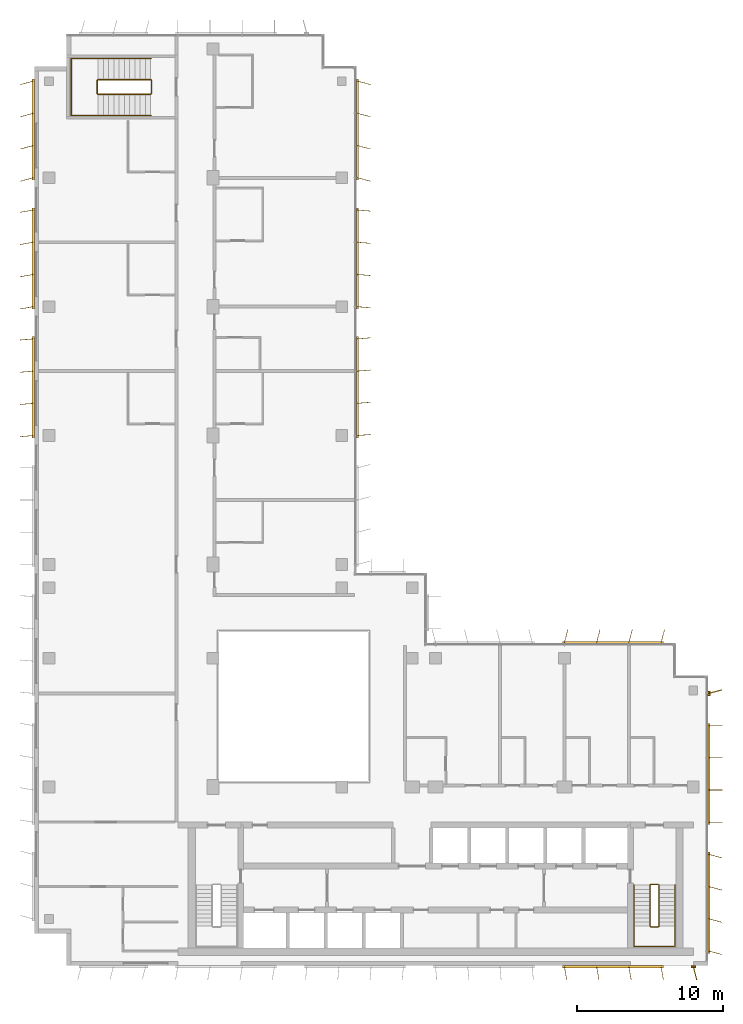
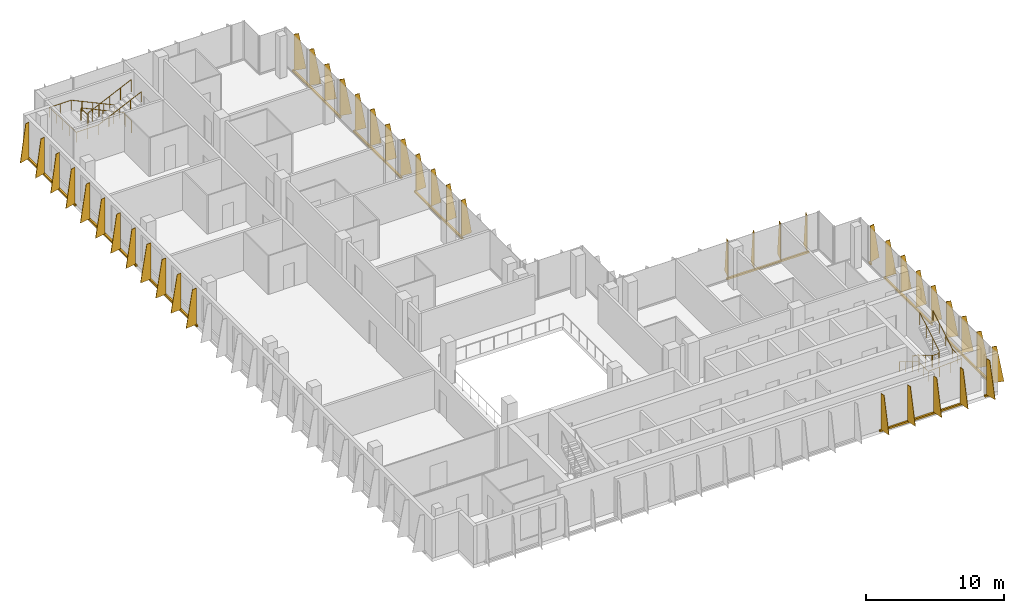
# One storey, part 14 of 15: 12 shading devices, 4 railings.
"""IFC4 building model written with IfcOpenShell, lengths in metres."""

from ifc_helpers import new_model, si_unit, direction, frame, origin, origin_2d, place, context, subcontext, project, spatial, polyline, rectangle, circle, outline, extrude, source, transform, mapped, material, layer, layer_set, type_object, element, save


model = new_model("IFC4")

# Units and contexts
model_context = context("Model", 3, precision=1e-05, world=origin(), true_north=direction((0.0, 1.0)))
body_context = subcontext(model_context, "Body", "Model", "MODEL_VIEW")
ifc_project = project(units=[si_unit("LENGTHUNIT", "METRE"), si_unit("AREAUNIT", "SQUARE_METRE"), si_unit("VOLUMEUNIT", "CUBIC_METRE"), si_unit("PLANEANGLEUNIT", "RADIAN"), si_unit("MASSUNIT", "GRAM", prefix="KILO")], contexts=[model_context])

# Site, building, storey
site_placement = place(None, origin())
site = spatial("IfcSite", under=ifc_project, at=site_placement, CompositionType="ELEMENT")
building_placement = place(site_placement, origin())
building = spatial("IfcBuilding", under=site, at=building_placement, Name="Kemantara Hotel Tower", CompositionType="ELEMENT")
storey_placement = place(building_placement, frame((0.0, 0.0, 301.800048828125)))
storey = spatial("IfcBuildingStorey", under=building, at=storey_placement, Name="L76", CompositionType="ELEMENT", Elevation=301.800048828125)

# Railings
ifc_material_1 = material(Name="Stainless steel balustrade", Category="steel")
railing_type_1 = type_object("IfcRailingType", Name="Stair guard 1100 mm", PredefinedType="GUARDRAIL", material=ifc_material_1)
railing_1_placement = place(storey_placement, frame((42.64990234375, 5.5, 3.699951171875)))
element("IfcRailing", 1, at=railing_1_placement, inside=storey, type_object=railing_type_1, Name="L76 ST2 stair guard 1", PredefinedType="GUARDRAIL", context=body_context, shape_type="SweptSolid", body=[
    extrude(circle(Radius=0.02392578125, at=origin_2d()), frame((0.0, 0.0, 1.076171875), z_axis=(0.0, -0.857242210791, -0.514913383045), x_axis=(1.0, 0.0, 0.0)), (0.0, 0.0, 1.0), 3.266357421875),
    extrude(circle(Radius=0.02392578125, at=origin_2d()), frame((0.0, -2.800048828125, -0.60595703125), z_axis=(-0.273006030465, -0.27434429532, -0.922064485248), x_axis=(0.708833529934, -0.705375805398, 0.0)), (0.0, 0.0, 1.0), 0.182373046875),
    extrude(circle(Radius=0.02392578125, at=origin_2d()), frame((-0.0498046875, -2.85009765625, -0.77392578125), z_axis=(-1.0, 0.0, 0.0), x_axis=(0.0, -1.0, 0.0)), (0.0, 0.0, 1.0), 0.5),
    extrude(circle(Radius=0.02392578125, at=origin_2d()), frame((-0.5498046875, -2.85009765625, -0.77392578125), z_axis=(-0.707106781187, 0.707106781187, 0.0), x_axis=(-0.707106781187, -0.707106781187, 0.0)), (0.0, 0.0, 1.0), 0.07080078125),
    extrude(circle(Radius=0.02392578125, at=origin_2d()), frame((-0.599853515625, -2.800048828125, -0.77392578125), z_axis=(0.0, 0.857275202839, -0.514858452973), x_axis=(-1.0, 0.0, 0.0)), (0.0, 0.0, 1.0), 3.26611328125),
    extrude(circle(Radius=0.02392578125, at=origin_2d()), frame((-0.599853515625, 0.0, -2.45556640625), z_axis=(0.274243871929, 0.274243871929, -0.92172696468), x_axis=(-0.707106781187, 0.707106781187, 0.0)), (0.0, 0.0, 1.0), 0.1826171875),
    extrude(circle(Radius=0.02392578125, at=origin_2d()), frame((-0.5498046875, 0.050048828125, -2.6240234375), z_axis=(1.0, 0.0, 0.0), x_axis=(0.0, 1.0, 0.0)), (0.0, 0.0, 1.0), 0.5),
    extrude(circle(Radius=0.02099609375, at=origin_2d()), origin(), (0.0, 0.0, 1.0), 1.052001953125),
    extrude(circle(Radius=0.02099609375, at=origin_2d()), frame((0.0, -0.933349609375, -0.560546875)), (0.0, 0.0, 1.0), 1.052001953125),
    extrude(circle(Radius=0.02099609375, at=origin_2d()), frame((0.0, -1.86669921875, -1.121337890625)), (0.0, 0.0, 1.0), 1.052001953125),
    extrude(circle(Radius=0.02099609375, at=origin_2d()), frame((0.0, -2.800048828125, -1.681884765625)), (0.0, 0.0, 1.0), 1.052001953125),
    extrude(circle(Radius=0.02099609375, at=origin_2d()), frame((-0.0498046875, -2.85009765625, -1.85009765625)), (0.0, 0.0, 1.0), 1.052001953125),
    extrude(circle(Radius=0.02099609375, at=origin_2d()), frame((-0.5498046875, -2.85009765625, -1.85009765625)), (0.0, 0.0, 1.0), 1.052001953125),
    extrude(circle(Radius=0.02099609375, at=origin_2d()), frame((-0.599853515625, -2.800048828125, -1.85009765625)), (0.0, 0.0, 1.0), 1.052001953125),
    extrude(circle(Radius=0.02099609375, at=origin_2d()), frame((-0.599853515625, -1.86669921875, -2.41064453125)), (0.0, 0.0, 1.0), 1.052001953125),
    extrude(circle(Radius=0.02099609375, at=origin_2d()), frame((-0.599853515625, -0.933349609375, -2.97119140625)), (0.0, 0.0, 1.0), 1.052001953125),
    extrude(circle(Radius=0.02099609375, at=origin_2d()), frame((-0.599853515625, 0.0, -3.53173828125)), (0.0, 0.0, 1.0), 1.052001953125),
    extrude(circle(Radius=0.02099609375, at=origin_2d()), frame((-0.5498046875, 0.050048828125, -3.699951171875)), (0.0, 0.0, 1.0), 1.052001953125),
    extrude(circle(Radius=0.02099609375, at=origin_2d()), frame((-0.0498046875, 0.050048828125, -3.699951171875)), (0.0, 0.0, 1.0), 1.052001953125),
])
railing_2_placement = place(storey_placement, frame((7.949951171875, 59.5, 3.699951171875)))
element("IfcRailing", 2, at=railing_2_placement, inside=storey, type_object=railing_type_1, Name="L76 ST4 stair guard 1", PredefinedType="GUARDRAIL", context=body_context, shape_type="SweptSolid", body=[
    extrude(circle(Radius=0.02392578125, at=origin_2d()), frame((0.0, 0.0, 1.076171875), z_axis=(-0.905994681025, 0.0, -0.423289071386), x_axis=(0.0, -1.0, 0.0)), (0.0, 0.0, 1.0), 3.973388671875),
    extrude(circle(Radius=0.02392578125, at=origin_2d()), frame((-3.599853515625, 0.0, -0.60595703125), z_axis=(-0.274243871929, 0.274243871929, -0.92172696468), x_axis=(-0.707106781187, -0.707106781187, 0.0)), (0.0, 0.0, 1.0), 0.1826171875),
    extrude(circle(Radius=0.02392578125, at=origin_2d()), frame((-3.64990234375, 0.050048828125, -0.77392578125), z_axis=(0.0, 1.0, 0.0), x_axis=(-1.0, 0.0, 0.0)), (0.0, 0.0, 1.0), 0.89990234375),
    extrude(circle(Radius=0.02392578125, at=origin_2d()), frame((-3.64990234375, 0.949951171875, -0.77392578125), z_axis=(0.707106781187, 0.707106781187, 0.0), x_axis=(-0.707106781187, 0.707106781187, 0.0)), (0.0, 0.0, 1.0), 0.07080078125),
    extrude(circle(Radius=0.02392578125, at=origin_2d()), frame((-3.599853515625, 1.0, -0.77392578125), z_axis=(0.906018243939, 0.0, -0.423238634402), x_axis=(0.0, 1.0, 0.0)), (0.0, 0.0, 1.0), 3.973388671875),
    extrude(circle(Radius=0.02392578125, at=origin_2d()), frame((0.0, 1.0, -2.45556640625), z_axis=(0.274243871929, -0.274243871929, -0.92172696468), x_axis=(0.707106781187, 0.707106781187, 0.0)), (0.0, 0.0, 1.0), 0.1826171875),
    extrude(circle(Radius=0.02392578125, at=origin_2d()), frame((0.050048828125, 0.949951171875, -2.6240234375), z_axis=(0.0, -1.0, 0.0), x_axis=(1.0, 0.0, 0.0)), (0.0, 0.0, 1.0), 0.89990234375),
    extrude(circle(Radius=0.02099609375, at=origin_2d()), origin(), (0.0, 0.0, 1.0), 1.052001953125),
    extrude(circle(Radius=0.02099609375, at=origin_2d()), frame((-0.89990234375, 0.0, -0.42041015625)), (0.0, 0.0, 1.0), 1.052001953125),
    extrude(circle(Radius=0.02099609375, at=origin_2d()), frame((-1.7998046875, 0.0, -0.8408203125)), (0.0, 0.0, 1.0), 1.052001953125),
    extrude(circle(Radius=0.02099609375, at=origin_2d()), frame((-2.699951171875, 0.0, -1.261474609375)), (0.0, 0.0, 1.0), 1.052001953125),
    extrude(circle(Radius=0.02099609375, at=origin_2d()), frame((-3.599853515625, 0.0, -1.681884765625)), (0.0, 0.0, 1.0), 1.052001953125),
    extrude(circle(Radius=0.02099609375, at=origin_2d()), frame((-3.64990234375, 0.050048828125, -1.85009765625)), (0.0, 0.0, 1.0), 1.052001953125),
    extrude(circle(Radius=0.02099609375, at=origin_2d()), frame((-3.64990234375, 0.949951171875, -1.85009765625)), (0.0, 0.0, 1.0), 1.052001953125),
    extrude(circle(Radius=0.02099609375, at=origin_2d()), frame((-3.599853515625, 1.0, -1.85009765625)), (0.0, 0.0, 1.0), 1.052001953125),
    extrude(circle(Radius=0.02099609375, at=origin_2d()), frame((-2.699951171875, 1.0, -2.2705078125)), (0.0, 0.0, 1.0), 1.052001953125),
    extrude(circle(Radius=0.02099609375, at=origin_2d()), frame((-1.7998046875, 1.0, -2.69091796875)), (0.0, 0.0, 1.0), 1.052001953125),
    extrude(circle(Radius=0.02099609375, at=origin_2d()), frame((-0.89990234375, 1.0, -3.111328125)), (0.0, 0.0, 1.0), 1.052001953125),
    extrude(circle(Radius=0.02099609375, at=origin_2d()), frame((0.0, 1.0, -3.53173828125)), (0.0, 0.0, 1.0), 1.052001953125),
    extrude(circle(Radius=0.02099609375, at=origin_2d()), frame((0.050048828125, 0.949951171875, -3.699951171875)), (0.0, 0.0, 1.0), 1.052001953125),
    extrude(circle(Radius=0.02099609375, at=origin_2d()), frame((0.050048828125, 0.050048828125, -3.699951171875)), (0.0, 0.0, 1.0), 1.052001953125),
])
railing_type_2 = type_object("IfcRailingType", Name="Stair handrail 900 mm", PredefinedType="HANDRAIL", material=ifc_material_1)
railing_3_placement = place(storey_placement, frame((40.949951171875, 5.5, 0.168212890625)))
element("IfcRailing", 3, at=railing_3_placement, inside=storey, type_object=railing_type_2, Name="L76 ST2 stair handrail 1", PredefinedType="HANDRAIL", context=body_context, shape_type="SweptSolid", body=[
    extrude(circle(Radius=0.02392578125, at=origin_2d()), frame((0.0, 0.0, 0.8759765625), z_axis=(0.0, -0.857275202839, 0.514858452973), x_axis=(1.0, 0.0, 0.0)), (0.0, 0.0, 1.0), 3.26611328125),
    extrude(circle(Radius=0.02392578125, at=origin_2d()), frame((0.0, -2.800048828125, 2.5576171875), z_axis=(0.0, -1.0, 0.0), x_axis=(1.0, 0.0, 0.0)), (0.0, 0.0, 1.0), 1.3798828125),
    extrude(circle(Radius=0.02392578125, at=origin_2d()), frame((0.0, -4.179931640625, 2.5576171875), z_axis=(0.998200367801, 0.0, 0.059966871865), x_axis=(0.0, 1.0, 0.0)), (0.0, 0.0, 1.0), 2.80517578125),
    extrude(circle(Radius=0.02392578125, at=origin_2d()), frame((2.800048828125, -4.179931640625, 2.7255859375), z_axis=(0.0, 1.0, 0.0), x_axis=(-1.0, 0.0, 0.0)), (0.0, 0.0, 1.0), 1.3798828125),
    extrude(circle(Radius=0.02392578125, at=origin_2d()), frame((2.800048828125, -2.800048828125, 2.7255859375), z_axis=(0.0, 0.857242210791, 0.514913383045), x_axis=(-1.0, 0.0, 0.0)), (0.0, 0.0, 1.0), 3.266357421875),
    extrude(circle(Radius=0.02099609375, at=origin_2d()), origin(), (0.0, 0.0, 1.0), 0.851806640625),
    extrude(circle(Radius=0.02099609375, at=origin_2d()), frame((0.0, -0.933349609375, 0.560546875)), (0.0, 0.0, 1.0), 0.851806640625),
    extrude(circle(Radius=0.02099609375, at=origin_2d()), frame((0.0, -1.86669921875, 1.12109375)), (0.0, 0.0, 1.0), 0.851806640625),
    extrude(circle(Radius=0.02099609375, at=origin_2d()), frame((0.0, -2.800048828125, 1.681640625)), (0.0, 0.0, 1.0), 0.851806640625),
    extrude(circle(Radius=0.02099609375, at=origin_2d()), frame((0.0, -3.489990234375, 1.681640625)), (0.0, 0.0, 1.0), 0.851806640625),
    extrude(circle(Radius=0.02099609375, at=origin_2d()), frame((0.0, -4.179931640625, 1.681640625)), (0.0, 0.0, 1.0), 0.851806640625),
    extrude(circle(Radius=0.02099609375, at=origin_2d()), frame((0.933349609375, -4.179931640625, 1.73779296875)), (0.0, 0.0, 1.0), 0.851806640625),
    extrude(circle(Radius=0.02099609375, at=origin_2d()), frame((1.86669921875, -4.179931640625, 1.793701171875)), (0.0, 0.0, 1.0), 0.851806640625),
    extrude(circle(Radius=0.02099609375, at=origin_2d()), frame((2.800048828125, -4.179931640625, 1.849853515625)), (0.0, 0.0, 1.0), 0.851806640625),
    extrude(circle(Radius=0.02099609375, at=origin_2d()), frame((2.800048828125, -3.489990234375, 1.849853515625)), (0.0, 0.0, 1.0), 0.851806640625),
    extrude(circle(Radius=0.02099609375, at=origin_2d()), frame((2.800048828125, -2.800048828125, 1.849853515625)), (0.0, 0.0, 1.0), 0.851806640625),
    extrude(circle(Radius=0.02099609375, at=origin_2d()), frame((2.800048828125, -1.86669921875, 2.410400390625)), (0.0, 0.0, 1.0), 0.851806640625),
    extrude(circle(Radius=0.02099609375, at=origin_2d()), frame((2.800048828125, -0.933349609375, 2.97119140625)), (0.0, 0.0, 1.0), 0.851806640625),
    extrude(circle(Radius=0.02099609375, at=origin_2d()), frame((2.800048828125, 0.0, 3.53173828125)), (0.0, 0.0, 1.0), 0.851806640625),
])
railing_4_placement = place(storey_placement, frame((7.949951171875, 61.949951171875, 0.168212890625)))
element("IfcRailing", 4, at=railing_4_placement, inside=storey, type_object=railing_type_2, Name="L76 ST4 stair handrail 1", PredefinedType="HANDRAIL", context=body_context, shape_type="SweptSolid", body=[
    extrude(circle(Radius=0.02392578125, at=origin_2d()), frame((0.0, 0.0, 0.8759765625), z_axis=(-0.906018243939, 0.0, 0.423238634402), x_axis=(0.0, -1.0, 0.0)), (0.0, 0.0, 1.0), 3.973388671875),
    extrude(circle(Radius=0.02392578125, at=origin_2d()), frame((-3.599853515625, 0.0, 2.5576171875), z_axis=(-1.0, 0.0, 0.0), x_axis=(0.0, -1.0, 0.0)), (0.0, 0.0, 1.0), 1.830078125),
    extrude(circle(Radius=0.02392578125, at=origin_2d()), frame((-5.429931640625, 0.0, 2.5576171875), z_axis=(0.0, -0.999071085748, 0.043092523981), x_axis=(1.0, 0.0, 0.0)), (0.0, 0.0, 1.0), 3.903564453125),
    extrude(circle(Radius=0.02392578125, at=origin_2d()), frame((-5.429931640625, -3.89990234375, 2.7255859375), z_axis=(1.0, 0.0, 0.0), x_axis=(0.0, 1.0, 0.0)), (0.0, 0.0, 1.0), 1.830078125),
    extrude(circle(Radius=0.02392578125, at=origin_2d()), frame((-3.599853515625, -3.89990234375, 2.7255859375), z_axis=(0.905994681025, 0.0, 0.423289071386), x_axis=(0.0, 1.0, 0.0)), (0.0, 0.0, 1.0), 3.973388671875),
    extrude(circle(Radius=0.02099609375, at=origin_2d()), origin(), (0.0, 0.0, 1.0), 0.851806640625),
    extrude(circle(Radius=0.02099609375, at=origin_2d()), frame((-0.89990234375, 0.0, 0.42041015625)), (0.0, 0.0, 1.0), 0.851806640625),
    extrude(circle(Radius=0.02099609375, at=origin_2d()), frame((-1.7998046875, 0.0, 0.8408203125)), (0.0, 0.0, 1.0), 0.851806640625),
    extrude(circle(Radius=0.02099609375, at=origin_2d()), frame((-2.699951171875, 0.0, 1.26123046875)), (0.0, 0.0, 1.0), 0.851806640625),
    extrude(circle(Radius=0.02099609375, at=origin_2d()), frame((-3.599853515625, 0.0, 1.681640625)), (0.0, 0.0, 1.0), 0.851806640625),
    extrude(circle(Radius=0.02099609375, at=origin_2d()), frame((-4.514892578125, 0.0, 1.681640625)), (0.0, 0.0, 1.0), 0.851806640625),
    extrude(circle(Radius=0.02099609375, at=origin_2d()), frame((-5.429931640625, 0.0, 1.681640625)), (0.0, 0.0, 1.0), 0.851806640625),
    extrude(circle(Radius=0.02099609375, at=origin_2d()), frame((-5.429931640625, -0.97509765625, 1.7236328125)), (0.0, 0.0, 1.0), 0.851806640625),
    extrude(circle(Radius=0.02099609375, at=origin_2d()), frame((-5.429931640625, -1.949951171875, 1.765625)), (0.0, 0.0, 1.0), 0.851806640625),
    extrude(circle(Radius=0.02099609375, at=origin_2d()), frame((-5.429931640625, -2.9248046875, 1.807861328125)), (0.0, 0.0, 1.0), 0.851806640625),
    extrude(circle(Radius=0.02099609375, at=origin_2d()), frame((-5.429931640625, -3.89990234375, 1.849853515625)), (0.0, 0.0, 1.0), 0.851806640625),
    extrude(circle(Radius=0.02099609375, at=origin_2d()), frame((-4.514892578125, -3.89990234375, 1.849853515625)), (0.0, 0.0, 1.0), 0.851806640625),
    extrude(circle(Radius=0.02099609375, at=origin_2d()), frame((-3.599853515625, -3.89990234375, 1.849853515625)), (0.0, 0.0, 1.0), 0.851806640625),
    extrude(circle(Radius=0.02099609375, at=origin_2d()), frame((-2.699951171875, -3.89990234375, 2.270263671875)), (0.0, 0.0, 1.0), 0.851806640625),
    extrude(circle(Radius=0.02099609375, at=origin_2d()), frame((-1.7998046875, -3.89990234375, 2.69091796875)), (0.0, 0.0, 1.0), 0.851806640625),
    extrude(circle(Radius=0.02099609375, at=origin_2d()), frame((-0.89990234375, -3.89990234375, 3.111328125)), (0.0, 0.0, 1.0), 0.851806640625),
    extrude(circle(Radius=0.02099609375, at=origin_2d()), frame((0.0, -3.89990234375, 3.53173828125)), (0.0, 0.0, 1.0), 0.851806640625),
])

# Shading devices
ifc_material_2 = material(Name="Perforated aluminium plate 4 mm bronze anodised", Category="aluminium")
ifc_layer_1 = layer(ifc_material_2, 0.0400390625)
ifc_layer_set_1 = layer_set([ifc_layer_1], Name="Perforated aluminium plate 4 mm bronze anodised")
shading_device_type_1 = type_object("IfcShadingDeviceType", Name="SCREEN FIN CASSETTE, 4 BLADES AT -5.0 DEG, 3200 HIGH", PredefinedType="USERDEFINED", material=ifc_layer_set_1)
shared_shape_1 = source(origin(), body_context, "Body", "SweptSolid", [
    extrude(rectangle(XDim=6.89990234375, YDim=0.14990234375, at=origin_2d()), frame((3.300048828125, -0.074951171875, -0.14990234375), z_axis=(0.0, 0.0, 1.0), x_axis=(1.0, 0.0, 0.0)), (0.0, 0.0, 1.0), 0.14990234375),
    extrude(outline(polyline([(0.0, 0.0), (0.89990234375, 0.0), (0.35009765625, 3.199951171875), (0.0, 3.199951171875), (0.0, 0.0)])), frame((0.02001953125, -0.07666015625, 0.0), z_axis=(-0.996376129781, 0.085056498884, 0.0), x_axis=(-0.085056498884, -0.996376129781, 0.0)), (0.0, 0.0, 1.0), 0.040283203125),
    extrude(outline(polyline([(0.0, 0.0), (0.89990234375, 0.0), (0.35009765625, 3.199951171875), (0.0, 3.199951171875), (0.0, 0.0)])), frame((2.219970703125, -0.07666015625, 0.0), z_axis=(-0.996331773833, 0.085574508182, 0.0), x_axis=(-0.085574508182, -0.996331773833, 0.0)), (0.0, 0.0, 1.0), 0.0400390625),
    extrude(outline(polyline([(0.0, 0.0), (0.89990234375, 0.0), (0.35009765625, 3.199951171875), (0.0, 3.199951171875), (0.0, 0.0)])), frame((4.419921875, -0.07666015625, 0.0), z_axis=(-0.996331773833, 0.085574508182, 0.0), x_axis=(-0.085574508182, -0.996331773833, 0.0)), (0.0, 0.0, 1.0), 0.0400390625),
    extrude(outline(polyline([(0.0, 0.0), (0.89990234375, 0.0), (0.35009765625, 3.199951171875), (0.0, 3.199951171875), (0.0, 0.0)])), frame((6.619873046875, -0.07666015625, 0.0), z_axis=(-0.996331773833, 0.085574508182, 0.0), x_axis=(-0.085574508182, -0.996331773833, 0.0)), (0.0, 0.0, 1.0), 0.0400390625),
])
shading_device_1_placement = place(storey_placement, frame((22.0, 45.0, 0.099853515625), z_axis=(0.0, 0.0, 1.0), x_axis=(0.0, 1.0, 0.0)))
element("IfcShadingDevice", 5, at=shading_device_1_placement, inside=storey, type_object=shading_device_type_1, Name="SCREEN FIN CASSETTE L76 T4-R15-3", ObjectType="SCREEN FIN", PredefinedType="USERDEFINED", context=body_context, shape_type="MappedRepresentation", body=[
    mapped(shared_shape_1, transform((0.0, 0.0, 0.0))),
])
ifc_layer_2 = layer(ifc_material_2, 0.0400390625)
ifc_layer_set_2 = layer_set([ifc_layer_2], Name="Perforated aluminium plate 4 mm bronze anodised")
shading_device_type_2 = type_object("IfcShadingDeviceType", Name="SCREEN FIN CASSETTE, 4 BLADES AT +0.0 DEG, 3200 HIGH", PredefinedType="USERDEFINED", material=ifc_layer_set_2)
shared_shape_2 = source(origin(), body_context, "Body", "SweptSolid", [
    extrude(rectangle(XDim=6.89990234375, YDim=0.14990234375, at=origin_2d()), frame((3.300048828125, -0.074951171875, -0.14990234375), z_axis=(0.0, 0.0, 1.0), x_axis=(1.0, 0.0, 0.0)), (0.0, 0.0, 1.0), 0.14990234375),
    extrude(outline(polyline([(0.0, 0.0), (0.89990234375, 0.0), (0.35009765625, 3.199951171875), (0.0, 3.199951171875), (0.0, 0.0)])), frame((0.02001953125, -0.074951171875, 0.0), z_axis=(-1.0, 0.0, 0.0), x_axis=(0.0, -1.0, 0.0)), (0.0, 0.0, 1.0), 0.0400390625),
    extrude(outline(polyline([(0.0, 0.0), (0.89990234375, 0.0), (0.35009765625, 3.199951171875), (0.0, 3.199951171875), (0.0, 0.0)])), frame((2.219970703125, -0.074951171875, 0.0), z_axis=(-1.0, 0.0, 0.0), x_axis=(0.0, -1.0, 0.0)), (0.0, 0.0, 1.0), 0.0400390625),
    extrude(outline(polyline([(0.0, 0.0), (0.89990234375, 0.0), (0.35009765625, 3.199951171875), (0.0, 3.199951171875), (0.0, 0.0)])), frame((4.419921875, -0.074951171875, 0.0), z_axis=(-1.0, 0.0, 0.0), x_axis=(0.0, -1.0, 0.0)), (0.0, 0.0, 1.0), 0.0400390625),
    extrude(outline(polyline([(0.0, 0.0), (0.89990234375, 0.0), (0.35009765625, 3.199951171875), (0.0, 3.199951171875), (0.0, 0.0)])), frame((6.6201171875, -0.074951171875, 0.0), z_axis=(-1.0, 0.0, 0.0), x_axis=(0.0, -1.0, 0.0)), (0.0, 0.0, 1.0), 0.0400390625),
])
shading_device_2_placement = place(storey_placement, frame((46.0, 9.800048828125, 0.099853515625), z_axis=(0.0, 0.0, 1.0), x_axis=(0.0, 1.0, 0.0)))
element("IfcShadingDevice", 6, at=shading_device_2_placement, inside=storey, type_object=shading_device_type_2, Name="SCREEN FIN CASSETTE L76 T4-R09-2", ObjectType="SCREEN FIN", PredefinedType="USERDEFINED", context=body_context, shape_type="MappedRepresentation", body=[
    mapped(shared_shape_2, transform((0.0, 0.0, 0.0))),
])
ifc_layer_3 = layer(ifc_material_2, 0.0400390625)
ifc_layer_set_3 = layer_set([ifc_layer_3], Name="Perforated aluminium plate 4 mm bronze anodised")
shading_device_type_3 = type_object("IfcShadingDeviceType", Name="SCREEN FIN CASSETTE, 4 BLADES AT +5.0 DEG, 3200 HIGH", PredefinedType="USERDEFINED", material=ifc_layer_set_3)
shared_shape_3 = source(origin(), body_context, "Body", "SweptSolid", [
    extrude(rectangle(XDim=6.89990234375, YDim=0.14990234375, at=origin_2d()), frame((3.300048828125, -0.074951171875, -0.14990234375), z_axis=(0.0, 0.0, 1.0), x_axis=(1.0, 0.0, 0.0)), (0.0, 0.0, 1.0), 0.14990234375),
    extrude(outline(polyline([(0.0, 0.0), (0.89990234375, 0.0), (0.35009765625, 3.199951171875), (0.0, 3.199951171875), (0.0, 0.0)])), frame((0.02001953125, -0.0732421875, 0.0), z_axis=(-0.996376129781, -0.085056498884, 0.0), x_axis=(0.085056498884, -0.996376129781, 0.0)), (0.0, 0.0, 1.0), 0.040283203125),
    extrude(outline(polyline([(0.0, 0.0), (0.89990234375, 0.0), (0.35009765625, 3.199951171875), (0.0, 3.199951171875), (0.0, 0.0)])), frame((2.219970703125, -0.0732421875, 0.0), z_axis=(-0.996331773833, -0.085574508182, 0.0), x_axis=(0.085574508182, -0.996331773833, 0.0)), (0.0, 0.0, 1.0), 0.0400390625),
    extrude(outline(polyline([(0.0, 0.0), (0.89990234375, 0.0), (0.35009765625, 3.199951171875), (0.0, 3.199951171875), (0.0, 0.0)])), frame((4.419921875, -0.0732421875, 0.0), z_axis=(-0.996331773833, -0.085574508182, 0.0), x_axis=(0.085574508182, -0.996331773833, 0.0)), (0.0, 0.0, 1.0), 0.0400390625),
    extrude(outline(polyline([(0.0, 0.0), (0.89990234375, 0.0), (0.35009765625, 3.199951171875), (0.0, 3.199951171875), (0.0, 0.0)])), frame((6.619873046875, -0.0732421875, 0.0), z_axis=(-0.996331773833, -0.085574508182, 0.0), x_axis=(0.085574508182, -0.996331773833, 0.0)), (0.0, 0.0, 1.0), 0.0400390625),
])
for number, where, z_axis, x_axis, name in (
    (7, (0.0, 42.800048828125, 0.099853515625), (0.0, 0.0, 1.0), (0.0, -1.0, 0.0), "SCREEN FIN CASSETTE L76 T4-R05-3"),
    (8, (22.0, 36.199951171875, 0.099853515625), (0.0, 0.0, 1.0), (0.0, 1.0, 0.0), "SCREEN FIN CASSETTE L76 T4-R15-2"),
):
    element("IfcShadingDevice", number, at=place(storey_placement, frame(where, z_axis=z_axis, x_axis=x_axis)), inside=storey, type_object=shading_device_type_3, Name=name, ObjectType="SCREEN FIN", PredefinedType="USERDEFINED", context=body_context, shape_type="MappedRepresentation", body=[
        mapped(shared_shape_3, transform((0.0, 0.0, 0.0))),
    ])
ifc_layer_4 = layer(ifc_material_2, 0.0400390625)
ifc_layer_set_4 = layer_set([ifc_layer_4], Name="Perforated aluminium plate 4 mm bronze anodised")
shading_device_type_4 = type_object("IfcShadingDeviceType", Name="SCREEN FIN CASSETTE, 4 BLADES AT +10.0 DEG, 3200 HIGH", PredefinedType="USERDEFINED", material=ifc_layer_set_4)
shared_shape_4 = source(origin(), body_context, "Body", "SweptSolid", [
    extrude(rectangle(XDim=6.89990234375, YDim=0.14990234375, at=origin_2d()), frame((3.300048828125, -0.074951171875, -0.14990234375), z_axis=(0.0, 0.0, 1.0), x_axis=(1.0, 0.0, 0.0)), (0.0, 0.0, 1.0), 0.14990234375),
    extrude(outline(polyline([(0.0, 0.0), (0.89990234375, 0.0), (0.35009765625, 3.199951171875), (0.0, 3.199951171875), (0.0, 0.0)])), frame((0.019775390625, -0.071533203125, 0.0), z_axis=(-0.985389793052, -0.170314285219, 0.0), x_axis=(0.170314285219, -0.985389793052, 0.0)), (0.0, 0.0, 1.0), 0.0400390625),
    extrude(outline(polyline([(0.0, 0.0), (0.89990234375, 0.0), (0.35009765625, 3.199951171875), (0.0, 3.199951171875), (0.0, 0.0)])), frame((2.2197265625, -0.071533203125, 0.0), z_axis=(-0.98521175482, -0.171341174751, 0.0), x_axis=(0.171341174751, -0.98521175482, 0.0)), (0.0, 0.0, 1.0), 0.039794921875),
    extrude(outline(polyline([(0.0, 0.0), (0.89990234375, 0.0), (0.35009765625, 3.199951171875), (0.0, 3.199951171875), (0.0, 0.0)])), frame((4.419677734375, -0.071533203125, 0.0), z_axis=(-0.98521175482, -0.171341174751, 0.0), x_axis=(0.171341174751, -0.98521175482, 0.0)), (0.0, 0.0, 1.0), 0.039794921875),
    extrude(outline(polyline([(0.0, 0.0), (0.89990234375, 0.0), (0.35009765625, 3.199951171875), (0.0, 3.199951171875), (0.0, 0.0)])), frame((6.61962890625, -0.071533203125, 0.0), z_axis=(-0.98521175482, -0.171341174751, 0.0), x_axis=(0.171341174751, -0.98521175482, 0.0)), (0.0, 0.0, 1.0), 0.039794921875),
])
for number, where, z_axis, x_axis, name in (
    (9, (0.0, 51.60009765625, 0.099853515625), (0.0, 0.0, 1.0), (0.0, -1.0, 0.0), "SCREEN FIN CASSETTE L76 T4-R05-2"),
    (10, (36.199951171875, 0.0, 0.099853515625), (0.0, 0.0, 1.0), (1.0, 0.0, 0.0), "SCREEN FIN CASSETTE L76 T4-R08-5"),
):
    element("IfcShadingDevice", number, at=place(storey_placement, frame(where, z_axis=z_axis, x_axis=x_axis)), inside=storey, type_object=shading_device_type_4, Name=name, ObjectType="SCREEN FIN", PredefinedType="USERDEFINED", context=body_context, shape_type="MappedRepresentation", body=[
        mapped(shared_shape_4, transform((0.0, 0.0, 0.0))),
    ])
ifc_layer_5 = layer(ifc_material_2, 0.0400390625)
ifc_layer_set_5 = layer_set([ifc_layer_5], Name="Perforated aluminium plate 4 mm bronze anodised")
shading_device_type_5 = type_object("IfcShadingDeviceType", Name="SCREEN FIN CASSETTE, 4 BLADES AT +15.0 DEG, 3200 HIGH", PredefinedType="USERDEFINED", material=ifc_layer_set_5)
shared_shape_5 = source(origin(), body_context, "Body", "SweptSolid", [
    extrude(rectangle(XDim=6.89990234375, YDim=0.14990234375, at=origin_2d()), frame((3.300048828125, -0.074951171875, -0.14990234375), z_axis=(0.0, 0.0, 1.0), x_axis=(1.0, 0.0, 0.0)), (0.0, 0.0, 1.0), 0.14990234375),
    extrude(outline(polyline([(0.0, 0.0), (0.89990234375, 0.0), (0.35009765625, 3.199951171875), (0.0, 3.199951171875), (0.0, 0.0)])), frame((0.019287109375, -0.06982421875, 0.0), z_axis=(-0.966437683387, -0.256901156343, 0.0), x_axis=(0.256901156343, -0.966437683387, 0.0)), (0.0, 0.0, 1.0), 0.039794921875),
    extrude(outline(polyline([(0.0, 0.0), (0.89990234375, 0.0), (0.35009765625, 3.199951171875), (0.0, 3.199951171875), (0.0, 0.0)])), frame((2.21923828125, -0.06982421875, 0.0), z_axis=(-0.966437683387, -0.256901156343, 0.0), x_axis=(0.256901156343, -0.966437683387, 0.0)), (0.0, 0.0, 1.0), 0.039794921875),
    extrude(outline(polyline([(0.0, 0.0), (0.89990234375, 0.0), (0.35009765625, 3.199951171875), (0.0, 3.199951171875), (0.0, 0.0)])), frame((4.41943359375, -0.06982421875, 0.0), z_axis=(-0.966837822169, -0.255391122837, 0.0), x_axis=(0.255391122837, -0.966837822169, 0.0)), (0.0, 0.0, 1.0), 0.0400390625),
    extrude(outline(polyline([(0.0, 0.0), (0.89990234375, 0.0), (0.35009765625, 3.199951171875), (0.0, 3.199951171875), (0.0, 0.0)])), frame((6.619384765625, -0.06982421875, 0.0), z_axis=(-0.966837822169, -0.255391122837, 0.0), x_axis=(0.255391122837, -0.966837822169, 0.0)), (0.0, 0.0, 1.0), 0.0400390625),
])
shading_device_3_placement = place(storey_placement, frame((0.0, 60.39990234375, 0.099853515625), z_axis=(0.0, 0.0, 1.0), x_axis=(0.0, -1.0, 0.0)))
element("IfcShadingDevice", 11, at=shading_device_3_placement, inside=storey, type_object=shading_device_type_5, Name="SCREEN FIN CASSETTE L76 T4-R05-1", ObjectType="SCREEN FIN", PredefinedType="USERDEFINED", context=body_context, shape_type="MappedRepresentation", body=[
    mapped(shared_shape_5, transform((0.0, 0.0, 0.0))),
])
ifc_layer_6 = layer(ifc_material_2, 0.0400390625)
ifc_layer_set_6 = layer_set([ifc_layer_6], Name="Perforated aluminium plate 4 mm bronze anodised")
shading_device_type_6 = type_object("IfcShadingDeviceType", Name="SCREEN FIN CASSETTE, 4 BLADES AT -15.0 DEG, 3200 HIGH", PredefinedType="USERDEFINED", material=ifc_layer_set_6)
shared_shape_6 = source(origin(), body_context, "Body", "SweptSolid", [
    extrude(rectangle(XDim=6.89990234375, YDim=0.14990234375, at=origin_2d()), frame((3.300048828125, -0.074951171875, -0.14990234375), z_axis=(0.0, 0.0, 1.0), x_axis=(1.0, 0.0, 0.0)), (0.0, 0.0, 1.0), 0.14990234375),
    extrude(outline(polyline([(0.0, 0.0), (0.89990234375, 0.0), (0.35009765625, 3.199951171875), (0.0, 3.199951171875), (0.0, 0.0)])), frame((0.019287109375, -0.080078125, 0.0), z_axis=(-0.966437683387, 0.256901156343, 0.0), x_axis=(-0.256901156343, -0.966437683387, 0.0)), (0.0, 0.0, 1.0), 0.039794921875),
    extrude(outline(polyline([(0.0, 0.0), (0.89990234375, 0.0), (0.35009765625, 3.199951171875), (0.0, 3.199951171875), (0.0, 0.0)])), frame((2.21923828125, -0.080078125, 0.0), z_axis=(-0.966437683387, 0.256901156343, 0.0), x_axis=(-0.256901156343, -0.966437683387, 0.0)), (0.0, 0.0, 1.0), 0.039794921875),
    extrude(outline(polyline([(0.0, 0.0), (0.89990234375, 0.0), (0.35009765625, 3.199951171875), (0.0, 3.199951171875), (0.0, 0.0)])), frame((4.41943359375, -0.080078125, 0.0), z_axis=(-0.966837822169, 0.255391122837, 0.0), x_axis=(-0.255391122837, -0.966837822169, 0.0)), (0.0, 0.0, 1.0), 0.0400390625),
    extrude(outline(polyline([(0.0, 0.0), (0.89990234375, 0.0), (0.35009765625, 3.199951171875), (0.0, 3.199951171875), (0.0, 0.0)])), frame((6.619384765625, -0.080078125, 0.0), z_axis=(-0.966837822169, 0.255391122837, 0.0), x_axis=(-0.255391122837, -0.966837822169, 0.0)), (0.0, 0.0, 1.0), 0.0400390625),
])
for number, where, z_axis, x_axis, name in (
    (12, (46.0, 1.0, 0.099853515625), (0.0, 0.0, 1.0), (0.0, 1.0, 0.0), "SCREEN FIN CASSETTE L76 T4-R09-1"),
    (13, (42.800048828125, 22.0, 0.099853515625), (0.0, 0.0, 1.0), (-1.0, 0.0, 0.0), "SCREEN FIN CASSETTE L76 T4-R12-1"),
    (14, (22.0, 53.800048828125, 0.099853515625), (0.0, 0.0, 1.0), (0.0, 1.0, 0.0), "SCREEN FIN CASSETTE L76 T4-R15-4"),
):
    element("IfcShadingDevice", number, at=place(storey_placement, frame(where, z_axis=z_axis, x_axis=x_axis)), inside=storey, type_object=shading_device_type_6, Name=name, ObjectType="SCREEN FIN", PredefinedType="USERDEFINED", context=body_context, shape_type="MappedRepresentation", body=[
        mapped(shared_shape_6, transform((0.0, 0.0, 0.0))),
    ])
ifc_layer_7 = layer(ifc_material_2, 0.0400390625)
ifc_layer_set_7 = layer_set([ifc_layer_7], Name="Perforated aluminium plate 4 mm bronze anodised")
shading_device_type_7 = type_object("IfcShadingDeviceType", Name="SCREEN FIN CASSETTE, 1 BLADE AT +15.0 DEG, 3200 HIGH", PredefinedType="USERDEFINED", material=ifc_layer_set_7)
shared_shape_7 = source(origin(), body_context, "Body", "SweptSolid", [
    extrude(rectangle(XDim=0.300048828125, YDim=0.14990234375, at=origin_2d()), frame((0.0, -0.074951171875, -0.14990234375), z_axis=(0.0, 0.0, 1.0), x_axis=(1.0, 0.0, 0.0)), (0.0, 0.0, 1.0), 0.14990234375),
    extrude(outline(polyline([(0.0, 0.0), (0.89990234375, 0.0), (0.35009765625, 3.199951171875), (0.0, 3.199951171875), (0.0, 0.0)])), frame((0.019287109375, -0.06982421875, 0.0), z_axis=(-0.966437683387, -0.256901156343, 0.0), x_axis=(0.256901156343, -0.966437683387, 0.0)), (0.0, 0.0, 1.0), 0.039794921875),
])
for number, where, z_axis, x_axis, name in (
    (15, (45.0, 0.0, 0.099853515625), (0.0, 0.0, 1.0), (1.0, 0.0, 0.0), "SCREEN FIN CASSETTE L76 T4-R08-6"),
    (16, (46.0, 18.60009765625, 0.099853515625), (0.0, 0.0, 1.0), (0.0, 1.0, 0.0), "SCREEN FIN CASSETTE L76 T4-R09-3"),
):
    element("IfcShadingDevice", number, at=place(storey_placement, frame(where, z_axis=z_axis, x_axis=x_axis)), inside=storey, type_object=shading_device_type_7, Name=name, ObjectType="SCREEN FIN", PredefinedType="USERDEFINED", context=body_context, shape_type="MappedRepresentation", body=[
        mapped(shared_shape_7, transform((0.0, 0.0, 0.0))),
    ])

save(model, "model.ifc")
